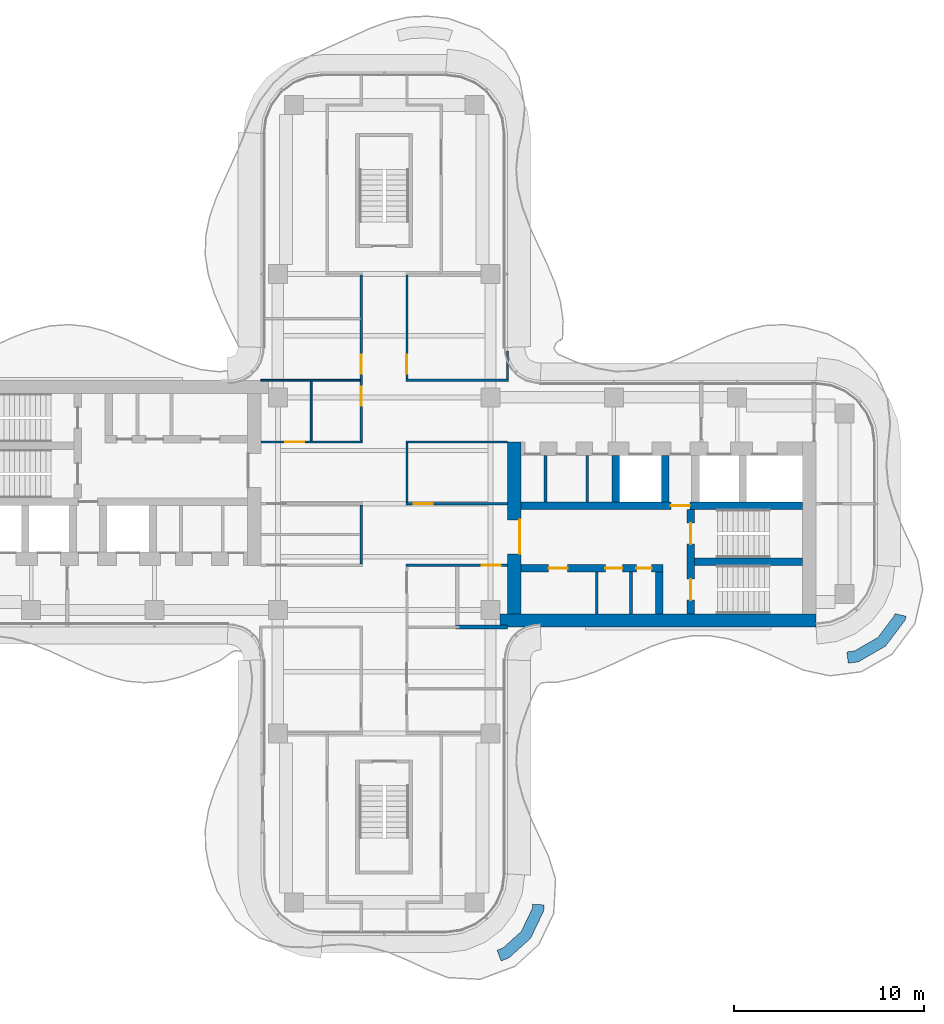
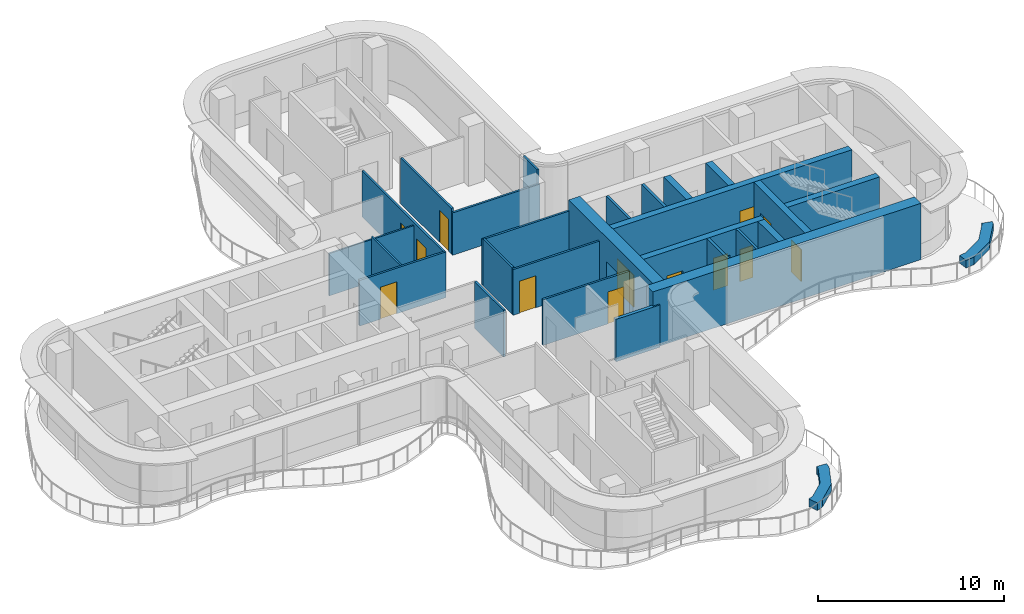
# One storey, part 12 of 16: 28 walls, 13 doors, 13 openings.
"""IFC4 building model written with IfcOpenShell, lengths in metres."""

from ifc_helpers import new_model, si_unit, direction, frame, frame_2d, origin, place, context, subcontext, project, spatial, polyline, rectangle, outline, extrude, source, transform, mapped, material, layer, layer_set, type_object, element, fill, save


model = new_model("IFC4")

# Units and contexts
model_context = context("Model", 3, precision=1e-05, world=origin(), true_north=direction((0.0, 1.0)))
body_context = subcontext(model_context, "Body", "Model", "MODEL_VIEW")
ifc_project = project(units=[si_unit("LENGTHUNIT", "METRE"), si_unit("AREAUNIT", "SQUARE_METRE"), si_unit("VOLUMEUNIT", "CUBIC_METRE"), si_unit("PLANEANGLEUNIT", "RADIAN"), si_unit("MASSUNIT", "GRAM", prefix="KILO")], contexts=[model_context])

# Site, building, storey
site_placement = place(None, origin())
site = spatial("IfcSite", under=ifc_project, at=site_placement, CompositionType="ELEMENT")
building_placement = place(site_placement, origin())
building = spatial("IfcBuilding", under=site, at=building_placement, Name="Trellis Farm Tower", CompositionType="ELEMENT")
storey_placement = place(building_placement, frame((0.0, 0.0, 298.89990234375)))
storey = spatial("IfcBuildingStorey", under=building, at=storey_placement, Name="L67", CompositionType="ELEMENT", Elevation=298.89990234375)

# Walls
ifc_material_1 = material(Name="Sandstone faced masonry planter", Category="masonry")
ifc_layer_1 = layer(ifc_material_1, 0.60009765625)
ifc_layer_set_1 = layer_set([ifc_layer_1], Name="PLANTER BED 600")
wall_type_1 = type_object("IfcWallType", Name="PLANTER BED 600", PredefinedType="USERDEFINED", material=ifc_layer_set_1)
placement = place(storey_placement, origin())
element("IfcWall", 1, at=placement, inside=storey, type_object=wall_type_1, Name="PLANTER bed", ObjectType="PLANTER", PredefinedType="USERDEFINED", context=body_context, shape_type="SweptSolid", body=[
    extrude(outline(polyline([(27.4443359375, -6.139892578125), (26.413330078125, -7.50634765625), (24.977294921875, -8.335205078125), (24.449951171875, -8.403564453125), (24.372802734375, -7.80859375), (24.78125, -7.755615234375), (26.0078125, -7.047607421875), (26.889404296875, -5.879150390625), (26.909423828125, -5.794189453125), (27.493408203125, -5.931884765625), (27.4443359375, -6.139892578125)])), origin(), (0.0, 0.0, 1.0), 0.5),
])
element("IfcWall", 2, at=placement, inside=storey, type_object=wall_type_1, Name="PLANTER bed", ObjectType="PLANTER", PredefinedType="USERDEFINED", context=body_context, shape_type="SweptSolid", body=[
    extrude(outline(polyline([(7.712158203125, -22.902099609375), (6.5693359375, -23.934814453125), (6.15771484375, -24.08642578125), (5.9501953125, -23.523193359375), (6.253173828125, -23.411865234375), (7.222412109375, -22.535888671875), (7.811767578125, -21.3076171875), (7.82421875, -21.1005859375), (8.423095703125, -21.136962890625), (8.403564453125, -21.4609375), (7.712158203125, -22.902099609375)])), origin(), (0.0, 0.0, 1.0), 0.5),
])

# Wall, opening, door
ifc_material_2 = material(Name="Concrete C50/60", Category="concrete")
ifc_layer_2 = layer(ifc_material_2, 0.699951171875)
ifc_layer_set_2 = layer_set([ifc_layer_2], Name="CORE OUTER WALL 700 CONCRETE C50/60")
wall_type_2 = type_object("IfcWallType", Name="CORE OUTER WALL 700 CONCRETE C50/60", PredefinedType="SHEAR", material=ifc_layer_set_2)
shared_shape_1 = source(origin(), body_context, "Body", "SweptSolid", [
    extrude(rectangle(XDim=9.050048828125, YDim=0.699951171875, at=frame_2d((4.52490234375, 0.0))), origin(), (0.0, 0.0, 1.0), 3.7001953125),
])
wall_3_placement = place(storey_placement, frame((6.85009765625, -5.800048828125, 0.0), z_axis=(0.0, 0.0, 1.0), x_axis=(0.0, 1.0, 0.0)))
wall_3 = element("IfcWall", 3, at=wall_3_placement, inside=storey, type_object=wall_type_2, Name="Core wall", PredefinedType="SHEAR", context=body_context, shape_type="MappedRepresentation", body=[
    mapped(shared_shape_1, transform((0.0, 0.0, 0.0))),
])
shared_shape_2 = source(origin(), body_context, "Body", "SweptSolid", [
    extrude(rectangle(XDim=1.800048828125, YDim=2.10009765625, at=frame_2d((0.89990234375, 1.050048828125))), frame((0.0, 0.360107421875, 0.0), z_axis=(0.0, -1.0, 0.0), x_axis=(1.0, 0.0, 0.0)), (0.0, 0.0, 1.0), 0.72021484375),
])
opening_1_placement = place(wall_3_placement, frame((3.14990234375, 0.0, 0.0)))
opening_1 = element("IfcOpeningElement", 4, at=opening_1_placement, cuts=wall_3, Name="Opening DC1", PredefinedType="OPENING", context=body_context, shape_type="MappedRepresentation", body=[
    mapped(shared_shape_2, transform((0.0, 0.0, 0.0))),
])
ifc_material_3 = material(Name="Steel", Category="steel")
door_type_1 = type_object("IfcDoorType", Name="CORE FIRE DOOR DOUBLE 1800 X 2100", OperationType="DOUBLE_DOOR_SINGLE_SWING", PredefinedType="DOOR", material=ifc_material_3)
shared_shape_3 = source(origin(), body_context, "Body", "SweptSolid", [
    extrude(rectangle(XDim=1.800048828125, YDim=2.10009765625, at=frame_2d((0.89990234375, 1.050048828125))), frame((0.0, -0.27490234375, 0.0), z_axis=(0.0, -1.0, 0.0), x_axis=(1.0, 0.0, 0.0)), (0.0, 0.0, 1.0), 0.050048828125),
])
door_1_placement = place(opening_1_placement, origin())
door_1 = element("IfcDoor", 5, at=door_1_placement, inside=storey, type_object=door_type_1, Name="Core door", OperationType="DOUBLE_DOOR_SINGLE_SWING", OverallHeight=2.10009765625, OverallWidth=1.800048828125, PredefinedType="DOOR", context=body_context, shape_type="MappedRepresentation", body=[
    mapped(shared_shape_3, transform((0.0, 0.0, 0.0))),
])
fill(opening_1, door_1)

# Walls
ifc_layer_3 = layer(ifc_material_2, 0.39990234375)
ifc_layer_set_3 = layer_set([ifc_layer_3], Name="CORE INNER WALL 400 CONCRETE C50/60")
wall_type_3 = type_object("IfcWallType", Name="CORE INNER WALL 400 CONCRETE C50/60", PredefinedType="SHEAR", material=ifc_layer_set_3)
shared_shape_4 = source(origin(), body_context, "Body", "SweptSolid", [
    extrude(rectangle(XDim=2.449951171875, YDim=0.39990234375, at=frame_2d((1.22509765625, 0.0))), origin(), (0.0, 0.0, 1.0), 3.7001953125),
])
for number, where, z_axis, x_axis, name in (
    (6, (12.199951171875, 0.10009765625, 0.0), (0.0, 0.0, 1.0), (0.0, 1.0, 0.0), "Core wall"),
    (7, (14.800048828125, 0.10009765625, 0.0), (0.0, 0.0, 1.0), (0.0, 1.0, 0.0), "Core wall"),
):
    element("IfcWall", number, at=place(storey_placement, frame(where, z_axis=z_axis, x_axis=x_axis)), inside=storey, type_object=wall_type_3, Name=name, PredefinedType="SHEAR", context=body_context, shape_type="MappedRepresentation", body=[
        mapped(shared_shape_4, transform((0.0, 0.0, 0.0))),
    ])

# Wall, openings, doors
shared_shape_5 = source(origin(), body_context, "Body", "SweptSolid", [
    extrude(rectangle(XDim=7.5, YDim=0.39990234375, at=frame_2d((3.75, 0.0))), origin(), (0.0, 0.0, 1.0), 3.7001953125),
])
wall_4_placement = place(storey_placement, frame((7.199951171875, -3.39990234375, 0.0), z_axis=(0.0, 0.0, 1.0), x_axis=(1.0, 0.0, 0.0)))
wall_4 = element("IfcWall", 8, at=wall_4_placement, inside=storey, type_object=wall_type_3, Name="Core wall", PredefinedType="SHEAR", context=body_context, shape_type="MappedRepresentation", body=[
    mapped(shared_shape_5, transform((0.0, 0.0, 0.0))),
])
shared_shape_6 = source(origin(), body_context, "Body", "SweptSolid", [
    extrude(rectangle(XDim=1.0, YDim=2.10009765625, at=frame_2d((0.5, 1.050048828125))), frame((0.0, 0.2099609375, 0.0), z_axis=(0.0, -1.0, 0.0), x_axis=(1.0, 0.0, 0.0)), (0.0, 0.0, 1.0), 0.419921875),
])
opening_2_placement = place(wall_4_placement, frame((1.46240234375, 0.0, 0.0)))
opening_2 = element("IfcOpeningElement", 9, at=opening_2_placement, cuts=wall_4, Name="Opening DC55", PredefinedType="OPENING", context=body_context, shape_type="MappedRepresentation", body=[
    mapped(shared_shape_6, transform((0.0, 0.0, 0.0))),
])
shared_shape_7 = source(origin(), body_context, "Body", "SweptSolid", [
    extrude(rectangle(XDim=0.89990234375, YDim=2.10009765625, at=frame_2d((0.449951171875, 1.050048828125))), frame((0.0, 0.2099609375, 0.0), z_axis=(0.0, -1.0, 0.0), x_axis=(1.0, 0.0, 0.0)), (0.0, 0.0, 1.0), 0.419921875),
])
opening_3_placement = place(wall_4_placement, frame((4.449951171875, 0.0, 0.0)))
opening_3 = element("IfcOpeningElement", 10, at=opening_3_placement, cuts=wall_4, Name="Opening DC60", PredefinedType="OPENING", context=body_context, shape_type="MappedRepresentation", body=[
    mapped(shared_shape_7, transform((0.0, 0.0, 0.0))),
])
shared_shape_8 = source(origin(), body_context, "Body", "SweptSolid", [
    extrude(rectangle(XDim=0.800048828125, YDim=2.10009765625, at=frame_2d((0.39990234375, 1.050048828125))), frame((0.0, 0.2099609375, 0.0), z_axis=(0.0, -1.0, 0.0), x_axis=(1.0, 0.0, 0.0)), (0.0, 0.0, 1.0), 0.419921875),
])
opening_4_placement = place(wall_4_placement, frame((6.08740234375, 0.0, 0.0)))
opening_4 = element("IfcOpeningElement", 11, at=opening_4_placement, cuts=wall_4, Name="Opening DC63", PredefinedType="OPENING", context=body_context, shape_type="MappedRepresentation", body=[
    mapped(shared_shape_8, transform((0.0, 0.0, 0.0))),
])
door_type_2 = type_object("IfcDoorType", Name="CORE FIRE DOOR 1000 X 2100", OperationType="NOTDEFINED", PredefinedType="DOOR", material=ifc_material_3)
shared_shape_9 = source(origin(), body_context, "Body", "SweptSolid", [
    extrude(rectangle(XDim=1.0, YDim=2.10009765625, at=frame_2d((0.5, 1.050048828125))), frame((0.0, 0.02490234375, 0.0), z_axis=(0.0, -1.0, 0.0), x_axis=(1.0, 0.0, 0.0)), (0.0, 0.0, 1.0), 0.050048828125),
])
door_2_placement = place(opening_2_placement, origin())
door_2 = element("IfcDoor", 12, at=door_2_placement, inside=storey, type_object=door_type_2, Name="Core door", OperationType="SINGLE_SWING_LEFT", OverallHeight=2.10009765625, OverallWidth=1.0, PredefinedType="DOOR", context=body_context, shape_type="MappedRepresentation", body=[
    mapped(shared_shape_9, transform((0.0, 0.0, 0.0))),
])
fill(opening_2, door_2)
door_type_3 = type_object("IfcDoorType", Name="CORE FIRE DOOR 900 X 2100", OperationType="NOTDEFINED", PredefinedType="DOOR", material=ifc_material_3)
shared_shape_10 = source(origin(), body_context, "Body", "SweptSolid", [
    extrude(rectangle(XDim=0.89990234375, YDim=2.10009765625, at=frame_2d((0.449951171875, 1.050048828125))), frame((0.0, 0.02490234375, 0.0), z_axis=(0.0, -1.0, 0.0), x_axis=(1.0, 0.0, 0.0)), (0.0, 0.0, 1.0), 0.050048828125),
])
door_3_placement = place(opening_3_placement, origin())
door_3 = element("IfcDoor", 13, at=door_3_placement, inside=storey, type_object=door_type_3, Name="Core door", OperationType="SINGLE_SWING_RIGHT", OverallHeight=2.10009765625, OverallWidth=0.89990234375, PredefinedType="DOOR", context=body_context, shape_type="MappedRepresentation", body=[
    mapped(shared_shape_10, transform((0.0, 0.0, 0.0))),
])
fill(opening_3, door_3)
door_type_4 = type_object("IfcDoorType", Name="CORE FIRE DOOR 800 X 2100", OperationType="NOTDEFINED", PredefinedType="DOOR", material=ifc_material_3)
shared_shape_11 = source(origin(), body_context, "Body", "SweptSolid", [
    extrude(rectangle(XDim=0.800048828125, YDim=2.10009765625, at=frame_2d((0.39990234375, 1.050048828125))), frame((0.0, 0.02490234375, 0.0), z_axis=(0.0, -1.0, 0.0), x_axis=(1.0, 0.0, 0.0)), (0.0, 0.0, 1.0), 0.050048828125),
])
door_4_placement = place(opening_4_placement, origin())
door_4 = element("IfcDoor", 14, at=door_4_placement, inside=storey, type_object=door_type_4, Name="Core door", OperationType="SINGLE_SWING_LEFT", OverallHeight=2.10009765625, OverallWidth=0.800048828125, PredefinedType="DOOR", context=body_context, shape_type="MappedRepresentation", body=[
    mapped(shared_shape_11, transform((0.0, 0.0, 0.0))),
])
fill(opening_4, door_4)

# Wall, opening, door
shared_shape_12 = source(origin(), body_context, "Body", "SweptSolid", [
    extrude(rectangle(XDim=14.85009765625, YDim=0.39990234375, at=frame_2d((7.425048828125, 0.0))), origin(), (0.0, 0.0, 1.0), 3.7001953125),
])
wall_5_placement = place(storey_placement, frame((7.199951171875, -0.10009765625, 0.0), z_axis=(0.0, 0.0, 1.0), x_axis=(1.0, 0.0, 0.0)))
wall_5 = element("IfcWall", 15, at=wall_5_placement, inside=storey, type_object=wall_type_3, Name="Core wall", PredefinedType="SHEAR", context=body_context, shape_type="MappedRepresentation", body=[
    mapped(shared_shape_12, transform((0.0, 0.0, 0.0))),
])
opening_5_placement = place(wall_5_placement, frame((7.89990234375, 0.0, 0.0)))
opening_5 = element("IfcOpeningElement", 16, at=opening_5_placement, cuts=wall_5, Name="Opening DC5", PredefinedType="OPENING", context=body_context, shape_type="MappedRepresentation", body=[
    mapped(shared_shape_6, transform((0.0, 0.0, 0.0))),
])
door_5_placement = place(opening_5_placement, origin())
door_5 = element("IfcDoor", 17, at=door_5_placement, inside=storey, type_object=door_type_2, Name="Core door", OperationType="SINGLE_SWING_RIGHT", OverallHeight=2.10009765625, OverallWidth=1.0, PredefinedType="DOOR", context=body_context, shape_type="MappedRepresentation", body=[
    mapped(shared_shape_9, transform((0.0, 0.0, 0.0))),
])
fill(opening_5, door_5)

# Wall, openings, doors
shared_shape_13 = source(origin(), body_context, "Body", "SweptSolid", [
    extrude(rectangle(XDim=5.5, YDim=0.39990234375, at=frame_2d((2.75, 0.0))), origin(), (0.0, 0.0, 1.0), 3.7001953125),
])
wall_6_placement = place(storey_placement, frame((16.14990234375, -5.800048828125, 0.0), z_axis=(0.0, 0.0, 1.0), x_axis=(0.0, 1.0, 0.0)))
wall_6 = element("IfcWall", 18, at=wall_6_placement, inside=storey, type_object=wall_type_3, Name="Core wall", PredefinedType="SHEAR", context=body_context, shape_type="MappedRepresentation", body=[
    mapped(shared_shape_13, transform((0.0, 0.0, 0.0))),
])
shared_shape_14 = source(origin(), body_context, "Body", "SweptSolid", [
    extrude(rectangle(XDim=1.10009765625, YDim=2.10009765625, at=frame_2d((0.550048828125, 1.050048828125))), frame((0.0, 0.2099609375, 0.0), z_axis=(0.0, -1.0, 0.0), x_axis=(1.0, 0.0, 0.0)), (0.0, 0.0, 1.0), 0.419921875),
])
opening_6_placement = place(wall_6_placement, frame((0.72509765625, 0.0, 0.0)))
opening_6 = element("IfcOpeningElement", 19, at=opening_6_placement, cuts=wall_6, Name="Opening DC2", PredefinedType="OPENING", context=body_context, shape_type="MappedRepresentation", body=[
    mapped(shared_shape_14, transform((0.0, 0.0, 0.0))),
])
opening_7_placement = place(wall_6_placement, frame((3.675048828125, 0.0, 0.0)))
opening_7 = element("IfcOpeningElement", 20, at=opening_7_placement, cuts=wall_6, Name="Opening DC3", PredefinedType="OPENING", context=body_context, shape_type="MappedRepresentation", body=[
    mapped(shared_shape_14, transform((0.0, 0.0, 0.0))),
])
door_type_5 = type_object("IfcDoorType", Name="CORE FIRE DOOR 1100 X 2100", OperationType="NOTDEFINED", PredefinedType="DOOR", material=ifc_material_3)
shared_shape_15 = source(origin(), body_context, "Body", "SweptSolid", [
    extrude(rectangle(XDim=1.10009765625, YDim=2.10009765625, at=frame_2d((0.550048828125, 1.050048828125))), frame((0.0, 0.02490234375, 0.0), z_axis=(0.0, -1.0, 0.0), x_axis=(1.0, 0.0, 0.0)), (0.0, 0.0, 1.0), 0.050048828125),
])
door_6_placement = place(opening_6_placement, origin())
door_6 = element("IfcDoor", 21, at=door_6_placement, inside=storey, type_object=door_type_5, Name="Core door", OperationType="SINGLE_SWING_RIGHT", OverallHeight=2.10009765625, OverallWidth=1.10009765625, PredefinedType="DOOR", context=body_context, shape_type="MappedRepresentation", body=[
    mapped(shared_shape_15, transform((0.0, 0.0, 0.0))),
])
fill(opening_6, door_6)
door_7_placement = place(opening_7_placement, origin())
door_7 = element("IfcDoor", 22, at=door_7_placement, inside=storey, type_object=door_type_5, Name="Core door", OperationType="SINGLE_SWING_LEFT", OverallHeight=2.10009765625, OverallWidth=1.10009765625, PredefinedType="DOOR", context=body_context, shape_type="MappedRepresentation", body=[
    mapped(shared_shape_15, transform((0.0, 0.0, 0.0))),
])
fill(opening_7, door_7)

# Walls
shared_shape_16 = source(origin(), body_context, "Body", "SweptSolid", [
    extrude(rectangle(XDim=5.699951171875, YDim=0.39990234375, at=frame_2d((2.85009765625, 0.0))), origin(), (0.0, 0.0, 1.0), 3.7001953125),
])
wall_7_placement = place(storey_placement, frame((16.35009765625, -3.050048828125, 0.0), z_axis=(0.0, 0.0, 1.0), x_axis=(1.0, 0.0, 0.0)))
element("IfcWall", 23, at=wall_7_placement, inside=storey, type_object=wall_type_3, Name="Core wall", PredefinedType="SHEAR", context=body_context, shape_type="MappedRepresentation", body=[
    mapped(shared_shape_16, transform((0.0, 0.0, 0.0))),
])
shared_shape_17 = source(origin(), body_context, "Body", "SweptSolid", [
    extrude(rectangle(XDim=2.199951171875, YDim=0.39990234375, at=frame_2d((1.10009765625, 0.0))), origin(), (0.0, 0.0, 1.0), 3.7001953125),
])
wall_8_placement = place(storey_placement, frame((14.5, -5.800048828125, 0.0), z_axis=(0.0, 0.0, 1.0), x_axis=(0.0, 1.0, 0.0)))
element("IfcWall", 24, at=wall_8_placement, inside=storey, type_object=wall_type_3, Name="Core wall", PredefinedType="SHEAR", context=body_context, shape_type="MappedRepresentation", body=[
    mapped(shared_shape_17, transform((0.0, 0.0, 0.0))),
])
ifc_material_4 = material(Name="Masonry blockwork", Category="masonry")
ifc_layer_4 = layer(ifc_material_4, 0.14990234375)
ifc_layer_set_4 = layer_set([ifc_layer_4], Name="CORE PARTITION 150 BLOCKWORK")
wall_type_4 = type_object("IfcWallType", Name="CORE PARTITION 150 BLOCKWORK", PredefinedType="PARTITIONING", material=ifc_layer_set_4)
shared_shape_18 = source(origin(), body_context, "Body", "SweptSolid", [
    extrude(rectangle(XDim=2.199951171875, YDim=0.14990234375, at=frame_2d((1.10009765625, 0.0))), origin(), (0.0, 0.0, 1.0), 3.7001953125),
])
for number, where, z_axis, x_axis, name in (
    (25, (11.199951171875, -5.800048828125, 0.0), (0.0, 0.0, 1.0), (0.0, 1.0, 0.0), "Core room partition"),
    (26, (13.0, -5.800048828125, 0.0), (0.0, 0.0, 1.0), (0.0, 1.0, 0.0), "Core room partition"),
):
    element("IfcWall", number, at=place(storey_placement, frame(where, z_axis=z_axis, x_axis=x_axis)), inside=storey, type_object=wall_type_4, Name=name, PredefinedType="PARTITIONING", context=body_context, shape_type="MappedRepresentation", body=[
        mapped(shared_shape_18, transform((0.0, 0.0, 0.0))),
    ])
shared_shape_19 = source(origin(), body_context, "Body", "SweptSolid", [
    extrude(rectangle(XDim=16.64990234375, YDim=0.699951171875, at=frame_2d((8.324951171875, 0.0))), origin(), (0.0, 0.0, 1.0), 3.7001953125),
])
wall_9_placement = place(storey_placement, frame((6.10009765625, -6.14990234375, 0.0), z_axis=(0.0, 0.0, 1.0), x_axis=(1.0, 0.0, 0.0)))
element("IfcWall", 27, at=wall_9_placement, inside=storey, type_object=wall_type_2, Name="Core wall", PredefinedType="SHEAR", context=body_context, shape_type="MappedRepresentation", body=[
    mapped(shared_shape_19, transform((0.0, 0.0, 0.0))),
])
shared_shape_20 = source(origin(), body_context, "Body", "SweptSolid", [
    extrude(rectangle(XDim=2.449951171875, YDim=0.14990234375, at=frame_2d((1.22509765625, 0.0))), origin(), (0.0, 0.0, 1.0), 3.7001953125),
])
for number, where, z_axis, x_axis, name in (
    (28, (8.5, 0.10009765625, 0.0), (0.0, 0.0, 1.0), (0.0, 1.0, 0.0), "Core room partition"),
    (29, (10.699951171875, 0.10009765625, 0.0), (0.0, 0.0, 1.0), (0.0, 1.0, 0.0), "Core room partition"),
):
    element("IfcWall", number, at=place(storey_placement, frame(where, z_axis=z_axis, x_axis=x_axis)), inside=storey, type_object=wall_type_4, Name=name, PredefinedType="PARTITIONING", context=body_context, shape_type="MappedRepresentation", body=[
        mapped(shared_shape_20, transform((0.0, 0.0, 0.0))),
    ])

# Wall, opening, door
ifc_material_5 = material(Name="Plasterboard on steel studs, mineral wool", Category="steel")
ifc_layer_5 = layer(ifc_material_5, 0.125)
ifc_layer_set_5 = layer_set([ifc_layer_5], Name="PARTITION 125 STUD EI 60")
wall_type_5 = type_object("IfcWallType", Name="PARTITION 125 STUD EI 60", PredefinedType="PARTITIONING", material=ifc_layer_set_5)
shared_shape_21 = source(origin(), body_context, "Body", "SweptSolid", [
    extrude(rectangle(XDim=5.47509765625, YDim=0.125, at=frame_2d((2.737548828125, 0.0))), origin(), (0.0, 0.0, 1.0), 2.99658203125),
])
wall_10_placement = place(storey_placement, frame((1.199951171875, 12.03759765625, 0.0), z_axis=(0.0, 0.0, 1.0), x_axis=(0.0, -1.0, 0.0)))
wall_10 = element("IfcWall", 30, at=wall_10_placement, inside=storey, type_object=wall_type_5, Name="Partition PW1", PredefinedType="PARTITIONING", context=body_context, shape_type="MappedRepresentation", body=[
    mapped(shared_shape_21, transform((0.0, 0.0, 0.0))),
])
shared_shape_22 = source(origin(), body_context, "Body", "SweptSolid", [
    extrude(rectangle(XDim=1.0, YDim=2.10009765625, at=frame_2d((0.5, 1.050048828125))), frame((0.0, 0.072509765625, 0.0), z_axis=(0.0, -1.0, 0.0), x_axis=(1.0, 0.0, 0.0)), (0.0, 0.0, 1.0), 0.14501953125),
])
opening_8_placement = place(wall_10_placement, frame((4.1875, 0.0, 0.0)))
opening_8 = element("IfcOpeningElement", 31, at=opening_8_placement, cuts=wall_10, Name="Opening D111", PredefinedType="OPENING", context=body_context, shape_type="MappedRepresentation", body=[
    mapped(shared_shape_22, transform((0.0, 0.0, 0.0))),
])
ifc_material_6 = material(Name="Fire-rated timber door leaf in a hollow metal frame", Category="wood")
door_type_6 = type_object("IfcDoorType", Name="DOOR 1000x2100 FD30S", OperationType="NOTDEFINED", PredefinedType="DOOR", material=ifc_material_6)
door_8_placement = place(opening_8_placement, origin())
door_8 = element("IfcDoor", 32, at=door_8_placement, inside=storey, type_object=door_type_6, Name="Door D111", OperationType="SINGLE_SWING_RIGHT", OverallHeight=2.10009765625, OverallWidth=1.0, PredefinedType="DOOR", context=body_context, shape_type="MappedRepresentation", body=[
    mapped(shared_shape_9, transform((0.0, 0.0, 0.0))),
])
fill(opening_8, door_8)

# Walls
shared_shape_23 = source(origin(), body_context, "Body", "SweptSolid", [
    extrude(rectangle(XDim=3.125, YDim=0.125, at=frame_2d((1.5625, 0.0))), origin(), (0.0, 0.0, 1.0), 3.06787109375),
])
for number, where, z_axis, x_axis, name in (
    (33, (-1.199951171875, -0.0625, 0.0), (0.0, 0.0, 1.0), (0.0, -1.0, 0.0), "Partition PW1"),
    (34, (1.199951171875, 3.1875, 0.0), (0.0, 0.0, 1.0), (0.0, -1.0, 0.0), "Partition PW1"),
):
    element("IfcWall", number, at=place(storey_placement, frame(where, z_axis=z_axis, x_axis=x_axis)), inside=storey, type_object=wall_type_5, Name=name, PredefinedType="PARTITIONING", context=body_context, shape_type="MappedRepresentation", body=[
        mapped(shared_shape_23, transform((0.0, 0.0, 0.0))),
    ])

# Wall, opening, door
shared_shape_24 = source(origin(), body_context, "Body", "SweptSolid", [
    extrude(rectangle(XDim=5.362548828125, YDim=0.125, at=frame_2d((2.68115234375, 0.0))), origin(), (0.0, 0.0, 1.0), 2.99658203125),
])
wall_11_placement = place(storey_placement, frame((6.5, -3.25, 0.0), z_axis=(0.0, 0.0, 1.0), x_axis=(-1.0, 0.0, 0.0)))
wall_11 = element("IfcWall", 35, at=wall_11_placement, inside=storey, type_object=wall_type_5, Name="Partition PW1", PredefinedType="PARTITIONING", context=body_context, shape_type="MappedRepresentation", body=[
    mapped(shared_shape_24, transform((0.0, 0.0, 0.0))),
])
opening_9_placement = place(wall_11_placement, frame((0.35009765625, 0.0, 0.0)))
opening_9 = element("IfcOpeningElement", 36, at=opening_9_placement, cuts=wall_11, Name="Opening D301", PredefinedType="OPENING", context=body_context, shape_type="MappedRepresentation", body=[
    mapped(shared_shape_22, transform((0.0, 0.0, 0.0))),
])
door_type_7 = type_object("IfcDoorType", Name="DOOR 1000x2100 FD60", OperationType="NOTDEFINED", PredefinedType="DOOR", material=ifc_material_6)
door_9_placement = place(opening_9_placement, origin())
door_9 = element("IfcDoor", 37, at=door_9_placement, inside=storey, type_object=door_type_7, Name="Door D301", OperationType="SINGLE_SWING_LEFT", OverallHeight=2.10009765625, OverallWidth=1.0, PredefinedType="DOOR", context=body_context, shape_type="MappedRepresentation", body=[
    mapped(shared_shape_9, transform((0.0, 0.0, 0.0))),
])
fill(opening_9, door_9)

wall_12_placement = place(storey_placement, frame((6.5, 0.0, 0.0), z_axis=(0.0, 0.0, 1.0), x_axis=(-1.0, 0.0, 0.0)))
wall_12 = element("IfcWall", 38, at=wall_12_placement, inside=storey, type_object=wall_type_5, Name="Partition PW1", PredefinedType="PARTITIONING", context=body_context, shape_type="MappedRepresentation", body=[
    mapped(shared_shape_24, transform((0.0, 0.0, 0.0))),
])
opening_10_placement = place(wall_12_placement, frame((3.949951171875, 0.0, 0.0)))
opening_10 = element("IfcOpeningElement", 39, at=opening_10_placement, cuts=wall_12, Name="Opening D106", PredefinedType="OPENING", context=body_context, shape_type="MappedRepresentation", body=[
    mapped(shared_shape_22, transform((0.0, 0.0, 0.0))),
])
door_10_placement = place(opening_10_placement, origin())
door_10 = element("IfcDoor", 40, at=door_10_placement, inside=storey, type_object=door_type_6, Name="Door D106", OperationType="SINGLE_SWING_RIGHT", OverallHeight=2.10009765625, OverallWidth=1.0, PredefinedType="DOOR", context=body_context, shape_type="MappedRepresentation", body=[
    mapped(shared_shape_9, transform((0.0, 0.0, 0.0))),
])
fill(opening_10, door_10)

wall_13_placement = place(storey_placement, frame((-6.5, 3.25, 0.0), z_axis=(0.0, 0.0, 1.0), x_axis=(1.0, 0.0, 0.0)))
wall_13 = element("IfcWall", 41, at=wall_13_placement, inside=storey, type_object=wall_type_5, Name="Partition PW1", PredefinedType="PARTITIONING", context=body_context, shape_type="MappedRepresentation", body=[
    mapped(shared_shape_24, transform((0.0, 0.0, 0.0))),
])
opening_11_placement = place(wall_13_placement, frame((1.300048828125, 0.0, 0.0)))
opening_11 = element("IfcOpeningElement", 42, at=opening_11_placement, cuts=wall_13, Name="Opening D108", PredefinedType="OPENING", context=body_context, shape_type="MappedRepresentation", body=[
    mapped(shared_shape_22, transform((0.0, 0.0, 0.0))),
])
door_11_placement = place(opening_11_placement, origin())
door_11 = element("IfcDoor", 43, at=door_11_placement, inside=storey, type_object=door_type_6, Name="Door D108", OperationType="SINGLE_SWING_RIGHT", OverallHeight=2.10009765625, OverallWidth=1.0, PredefinedType="DOOR", context=body_context, shape_type="MappedRepresentation", body=[
    mapped(shared_shape_9, transform((0.0, 0.0, 0.0))),
])
fill(opening_11, door_11)

# Walls
wall_14_placement = place(storey_placement, frame((1.137451171875, 3.25, 0.0), z_axis=(0.0, 0.0, 1.0), x_axis=(1.0, 0.0, 0.0)))
element("IfcWall", 44, at=wall_14_placement, inside=storey, type_object=wall_type_5, Name="Partition PW1", PredefinedType="PARTITIONING", context=body_context, shape_type="MappedRepresentation", body=[
    mapped(shared_shape_24, transform((0.0, 0.0, 0.0))),
])
shared_shape_25 = source(origin(), body_context, "Body", "SweptSolid", [
    extrude(rectangle(XDim=1.468994140625, YDim=0.125, at=frame_2d((0.734375, 0.0))), origin(), (0.0, 0.0, 1.0), 3.7001953125),
])
wall_15_placement = place(storey_placement, frame((6.5, 6.5625, 0.0), z_axis=(0.0, 0.0, 1.0), x_axis=(0.0, 1.0, 0.0)))
element("IfcWall", 45, at=wall_15_placement, inside=storey, type_object=wall_type_5, Name="Partition PW1", PredefinedType="PARTITIONING", context=body_context, shape_type="MappedRepresentation", body=[
    mapped(shared_shape_25, transform((0.0, 0.0, 0.0))),
])

# Wall, openings, doors
shared_shape_26 = source(origin(), body_context, "Body", "SweptSolid", [
    extrude(rectangle(XDim=8.72509765625, YDim=0.125, at=frame_2d((4.362548828125, 0.0))), origin(), (0.0, 0.0, 1.0), 2.99658203125),
])
wall_16_placement = place(storey_placement, frame((-1.199951171875, 12.03759765625, 0.0), z_axis=(0.0, 0.0, 1.0), x_axis=(0.0, -1.0, 0.0)))
wall_16 = element("IfcWall", 46, at=wall_16_placement, inside=storey, type_object=wall_type_5, Name="Partition PW1", PredefinedType="PARTITIONING", context=body_context, shape_type="MappedRepresentation", body=[
    mapped(shared_shape_26, transform((0.0, 0.0, 0.0))),
])
opening_12_placement = place(wall_16_placement, frame((5.887451171875, 0.0, 0.0)))
opening_12 = element("IfcOpeningElement", 47, at=opening_12_placement, cuts=wall_16, Name="Opening D109", PredefinedType="OPENING", context=body_context, shape_type="MappedRepresentation", body=[
    mapped(shared_shape_22, transform((0.0, 0.0, 0.0))),
])
opening_13_placement = place(wall_16_placement, frame((4.1875, 0.0, 0.0)))
opening_13 = element("IfcOpeningElement", 48, at=opening_13_placement, cuts=wall_16, Name="Opening D110", PredefinedType="OPENING", context=body_context, shape_type="MappedRepresentation", body=[
    mapped(shared_shape_22, transform((0.0, 0.0, 0.0))),
])
door_12_placement = place(opening_12_placement, origin())
door_12 = element("IfcDoor", 49, at=door_12_placement, inside=storey, type_object=door_type_6, Name="Door D109", OperationType="SINGLE_SWING_LEFT", OverallHeight=2.10009765625, OverallWidth=1.0, PredefinedType="DOOR", context=body_context, shape_type="MappedRepresentation", body=[
    mapped(shared_shape_9, transform((0.0, 0.0, 0.0))),
])
fill(opening_12, door_12)
door_13_placement = place(opening_13_placement, origin())
door_13 = element("IfcDoor", 50, at=door_13_placement, inside=storey, type_object=door_type_6, Name="Door D110", OperationType="SINGLE_SWING_RIGHT", OverallHeight=2.10009765625, OverallWidth=1.0, PredefinedType="DOOR", context=body_context, shape_type="MappedRepresentation", body=[
    mapped(shared_shape_9, transform((0.0, 0.0, 0.0))),
])
fill(opening_13, door_13)

# Walls
shared_shape_27 = source(origin(), body_context, "Body", "SweptSolid", [
    extrude(rectangle(XDim=5.425048828125, YDim=0.125, at=frame_2d((2.71240234375, 0.0))), origin(), (0.0, 0.0, 1.0), 2.780029296875),
])
wall_17_placement = place(storey_placement, frame((1.137451171875, 6.5, 0.0), z_axis=(0.0, 0.0, 1.0), x_axis=(1.0, 0.0, 0.0)))
element("IfcWall", 51, at=wall_17_placement, inside=storey, type_object=wall_type_5, Name="Partition PW1", PredefinedType="PARTITIONING", context=body_context, shape_type="MappedRepresentation", body=[
    mapped(shared_shape_27, transform((0.0, 0.0, 0.0))),
])
ifc_material_7 = material(Name="Plasterboard on steel studs", Category="steel")
ifc_layer_6 = layer(ifc_material_7, 0.10009765625)
ifc_layer_set_6 = layer_set([ifc_layer_6], Name="PARTITION 100 STUD EI 30")
wall_type_6 = type_object("IfcWallType", Name="PARTITION 100 STUD EI 30", PredefinedType="PARTITIONING", material=ifc_layer_set_6)
shared_shape_28 = source(origin(), body_context, "Body", "SweptSolid", [
    extrude(rectangle(XDim=5.237548828125, YDim=0.10009765625, at=frame_2d((2.61865234375, 0.0))), origin(), (0.0, 0.0, 1.0), 2.780029296875),
])
wall_18_placement = place(storey_placement, frame((-6.5, 6.5, 0.0), z_axis=(0.0, 0.0, 1.0), x_axis=(1.0, 0.0, 0.0)))
element("IfcWall", 52, at=wall_18_placement, inside=storey, type_object=wall_type_6, Name="Partition PW2", PredefinedType="PARTITIONING", context=body_context, shape_type="MappedRepresentation", body=[
    mapped(shared_shape_28, transform((0.0, 0.0, 0.0))),
])
shared_shape_29 = source(origin(), body_context, "Body", "SweptSolid", [
    extrude(rectangle(XDim=3.137451171875, YDim=0.10009765625, at=frame_2d((1.56884765625, 0.0))), origin(), (0.0, 0.0, 1.0), 2.99658203125),
])
wall_19_placement = place(storey_placement, frame((-3.85009765625, 3.3125, 0.0), z_axis=(0.0, 0.0, 1.0), x_axis=(0.0, 1.0, 0.0)))
element("IfcWall", 53, at=wall_19_placement, inside=storey, type_object=wall_type_6, Name="Partition PW2", PredefinedType="PARTITIONING", context=body_context, shape_type="MappedRepresentation", body=[
    mapped(shared_shape_29, transform((0.0, 0.0, 0.0))),
])
ifc_material_8 = material(Name="Lightweight blockwork, plastered", Category="masonry")
ifc_layer_7 = layer(ifc_material_8, 0.199951171875)
ifc_layer_set_7 = layer_set([ifc_layer_7], Name="BLOCK WALL 200 EI 120")
wall_type_7 = type_object("IfcWallType", Name="BLOCK WALL 200 EI 120", PredefinedType="PARTITIONING", material=ifc_layer_set_7)
shared_shape_30 = source(origin(), body_context, "Body", "SweptSolid", [
    extrude(rectangle(XDim=2.75, YDim=0.199951171875, at=frame_2d((1.375, 0.0))), origin(), (0.0, 0.0, 1.0), 2.780029296875),
])
wall_20_placement = place(storey_placement, frame((3.75, -6.5, 0.0), z_axis=(0.0, 0.0, 1.0), x_axis=(1.0, 0.0, 0.0)))
element("IfcWall", 54, at=wall_20_placement, inside=storey, type_object=wall_type_7, Name="Partition PW3", PredefinedType="PARTITIONING", context=body_context, shape_type="MappedRepresentation", body=[
    mapped(shared_shape_30, transform((0.0, 0.0, 0.0))),
])

save(model, "model.ifc")
